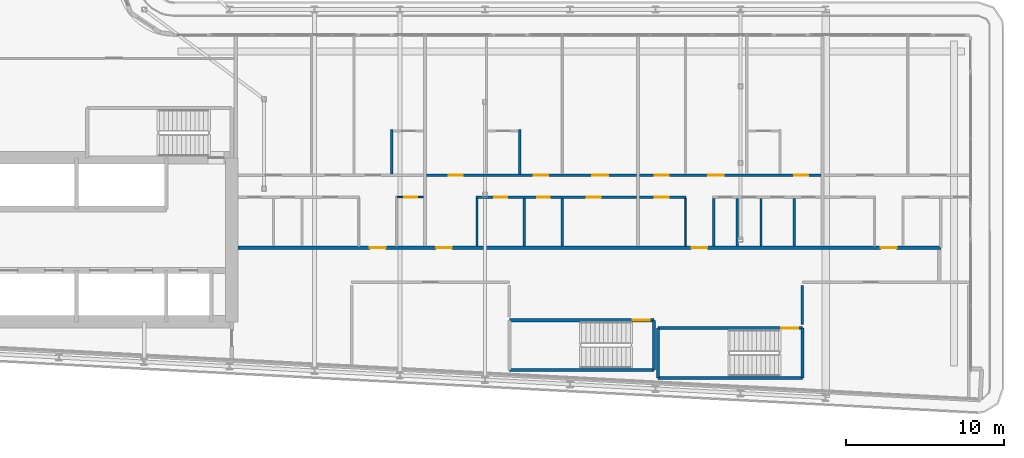
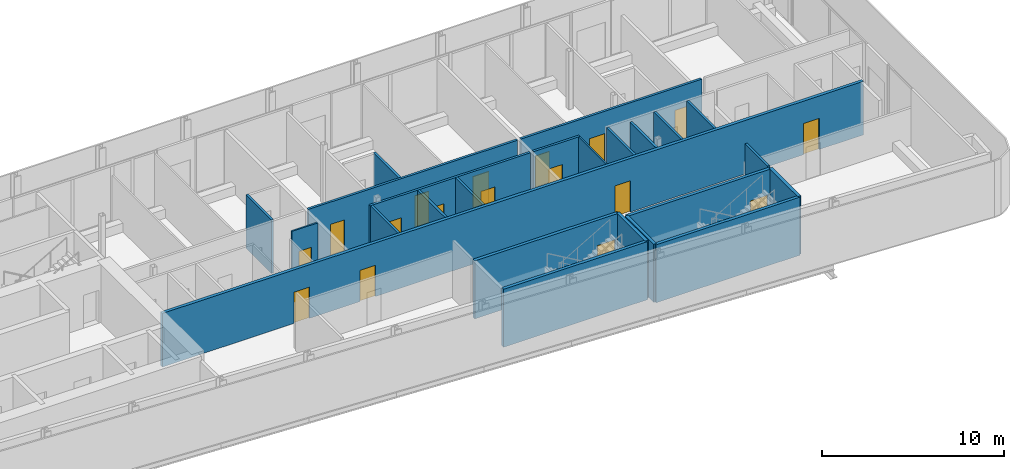
# One storey, part 16 of 28: 24 walls, 17 doors, 17 openings.
"""IFC4 building model written with IfcOpenShell, lengths in metres."""

from ifc_helpers import new_model, si_unit, direction, frame, frame_2d, origin, place, context, subcontext, project, spatial, rectangle, extrude, source, transform, mapped, material, layer, layer_set, type_object, element, fill, save


model = new_model("IFC4")

# Units and contexts
model_context = context("Model", 3, precision=1e-05, world=origin(), true_north=direction((0.0, 1.0)))
body_context = subcontext(model_context, "Body", "Model", "MODEL_VIEW")
ifc_project = project(units=[si_unit("LENGTHUNIT", "METRE"), si_unit("AREAUNIT", "SQUARE_METRE"), si_unit("VOLUMEUNIT", "CUBIC_METRE"), si_unit("PLANEANGLEUNIT", "RADIAN"), si_unit("MASSUNIT", "GRAM", prefix="KILO")], contexts=[model_context])

# Site, building, storey
site_placement = place(None, origin())
site = spatial("IfcSite", under=ifc_project, at=site_placement, CompositionType="ELEMENT")
building_placement = place(site_placement, origin())
building = spatial("IfcBuilding", under=site, at=building_placement, Name="Kheshtan School and Residences Tower", CompositionType="ELEMENT")
storey_placement = place(building_placement, frame((0.0, 0.0, 191.60009765625)))
storey = spatial("IfcBuildingStorey", under=building, at=storey_placement, Name="L45", CompositionType="ELEMENT", Elevation=191.60009765625)

# Wall, openings, doors
ifc_material_1 = material(Name="Gypsum board on steel studs with fire boards", Category="steel")
ifc_layer_1 = layer(ifc_material_1, 0.199951171875)
ifc_layer_set_1 = layer_set([ifc_layer_1], Name="Corridor wall 200")
wall_type_1 = type_object("IfcWallType", Name="Corridor wall 200", PredefinedType="PARTITIONING", material=ifc_layer_set_1)
wall_1_placement = place(storey_placement, frame((53.549072265625, 30.5, 0.0), z_axis=(0.0, 0.0, 1.0), x_axis=(1.0, 0.0, 0.0)))
wall_1 = element("IfcWall", 1, at=wall_1_placement, inside=storey, type_object=wall_type_1, Name="Partition L45-035", PredefinedType="PARTITIONING", context=body_context, shape_type="SweptSolid", body=[
    extrude(rectangle(XDim=44.551025390625, YDim=0.199951171875, at=frame_2d((22.275390625, 0.0))), origin(), (0.0, 0.0, 1.0), 3.599853515625),
])
opening_1_placement = place(wall_1_placement, frame((8.35107421875, 0.0, 0.0)))
opening_1 = element("IfcOpeningElement", 2, at=opening_1_placement, cuts=wall_1, Name="Opening D43-004", PredefinedType="OPENING", context=body_context, shape_type="SweptSolid", body=[
    extrude(rectangle(XDim=1.0, YDim=2.10009765625, at=frame_2d((0.5, 1.050048828125))), frame((0.0, 0.10986328125, 0.0), z_axis=(0.0, -1.0, 0.0), x_axis=(1.0, 0.0, 0.0)), (0.0, 0.0, 1.0), 0.219970703125),
])
opening_2_placement = place(wall_1_placement, frame((12.551025390625, 0.0, 0.0)))
opening_2 = element("IfcOpeningElement", 3, at=opening_2_placement, cuts=wall_1, Name="Opening D43-013", PredefinedType="OPENING", context=body_context, shape_type="SweptSolid", body=[
    extrude(rectangle(XDim=1.0, YDim=2.10009765625, at=frame_2d((0.5, 1.050048828125))), frame((0.0, 0.10986328125, 0.0), z_axis=(0.0, -1.0, 0.0), x_axis=(1.0, 0.0, 0.0)), (0.0, 0.0, 1.0), 0.219970703125),
])
opening_3_placement = place(wall_1_placement, frame((28.7509765625, 0.0, 0.0)))
opening_3 = element("IfcOpeningElement", 4, at=opening_3_placement, cuts=wall_1, Name="Opening D43-021", PredefinedType="OPENING", context=body_context, shape_type="SweptSolid", body=[
    extrude(rectangle(XDim=1.0, YDim=2.10009765625, at=frame_2d((0.5, 1.050048828125))), frame((0.0, 0.10986328125, 0.0), z_axis=(0.0, -1.0, 0.0), x_axis=(1.0, 0.0, 0.0)), (0.0, 0.0, 1.0), 0.219970703125),
])
opening_4_placement = place(wall_1_placement, frame((40.7509765625, 0.0, 0.0)))
opening_4 = element("IfcOpeningElement", 5, at=opening_4_placement, cuts=wall_1, Name="Opening D43-030", PredefinedType="OPENING", context=body_context, shape_type="SweptSolid", body=[
    extrude(rectangle(XDim=1.0, YDim=2.10009765625, at=frame_2d((0.5, 1.050048828125))), frame((0.0, 0.10986328125, 0.0), z_axis=(0.0, -1.0, 0.0), x_axis=(1.0, 0.0, 0.0)), (0.0, 0.0, 1.0), 0.219970703125),
])
ifc_material_2 = material(Name="Steel-framed fire-resisting door leaf", Category="steel")
door_type_1 = type_object("IfcDoorType", Name="Fire door FD30S 1000 x 2100", OperationType="SINGLE_SWING_LEFT", PredefinedType="DOOR", material=ifc_material_2)
shared_shape_1 = source(origin(), body_context, "Body", "SweptSolid", [
    extrude(rectangle(XDim=1.0, YDim=2.10009765625, at=frame_2d((0.5, 1.050048828125))), frame((0.0, 0.02490234375, 0.0), z_axis=(0.0, -1.0, 0.0), x_axis=(1.0, 0.0, 0.0)), (0.0, 0.0, 1.0), 0.050048828125),
])
door_1_placement = place(opening_1_placement, origin())
door_1 = element("IfcDoor", 6, at=door_1_placement, inside=storey, type_object=door_type_1, Name="Door D43-004", OperationType="SINGLE_SWING_RIGHT", OverallHeight=2.10009765625, OverallWidth=1.0, PredefinedType="DOOR", context=body_context, shape_type="MappedRepresentation", body=[
    mapped(shared_shape_1, transform((0.0, 0.0, 0.0), x_axis=(1.0, 0.0, 0.0), y_axis=(0.0, 1.0, 0.0), z_axis=(0.0, 0.0, 1.0), scale=1.0)),
])
fill(opening_1, door_1)
door_2_placement = place(opening_2_placement, origin())
door_2 = element("IfcDoor", 7, at=door_2_placement, inside=storey, type_object=door_type_1, Name="Door D43-013", OperationType="SINGLE_SWING_LEFT", OverallHeight=2.10009765625, OverallWidth=1.0, PredefinedType="DOOR", context=body_context, shape_type="MappedRepresentation", body=[
    mapped(shared_shape_1, transform((0.0, 0.0, 0.0), x_axis=(1.0, 0.0, 0.0), y_axis=(0.0, 1.0, 0.0), z_axis=(0.0, 0.0, 1.0), scale=1.0)),
])
fill(opening_2, door_2)
door_3_placement = place(opening_3_placement, origin())
door_3 = element("IfcDoor", 8, at=door_3_placement, inside=storey, type_object=door_type_1, Name="Door D43-021", OperationType="SINGLE_SWING_RIGHT", OverallHeight=2.10009765625, OverallWidth=1.0, PredefinedType="DOOR", context=body_context, shape_type="MappedRepresentation", body=[
    mapped(shared_shape_1, transform((0.0, 0.0, 0.0), x_axis=(1.0, 0.0, 0.0), y_axis=(0.0, 1.0, 0.0), z_axis=(0.0, 0.0, 1.0), scale=1.0)),
])
fill(opening_3, door_3)
door_4_placement = place(opening_4_placement, origin())
door_4 = element("IfcDoor", 9, at=door_4_placement, inside=storey, type_object=door_type_1, Name="Door D43-030", OperationType="SINGLE_SWING_RIGHT", OverallHeight=2.10009765625, OverallWidth=1.0, PredefinedType="DOOR", context=body_context, shape_type="MappedRepresentation", body=[
    mapped(shared_shape_1, transform((0.0, 0.0, 0.0), x_axis=(1.0, 0.0, 0.0), y_axis=(0.0, 1.0, 0.0), z_axis=(0.0, 0.0, 1.0), scale=1.0)),
])
fill(opening_4, door_4)

# Wall, opening, door
ifc_material_3 = material(Name="Gypsum board on steel studs", Category="steel")
ifc_layer_2 = layer(ifc_material_3, 0.10009765625)
ifc_layer_set_2 = layer_set([ifc_layer_2], Name="Gypsum partition 100")
wall_type_2 = type_object("IfcWallType", Name="Gypsum partition 100", PredefinedType="PARTITIONING", material=ifc_layer_set_2)
wall_2_placement = place(storey_placement, frame((63.64990234375, 33.699951171875, 0.0), z_axis=(0.0, 0.0, 1.0), x_axis=(1.0, 0.0, 0.0)))
wall_2 = element("IfcWall", 10, at=wall_2_placement, inside=storey, type_object=wall_type_2, Name="Partition L45-046", PredefinedType="PARTITIONING", context=body_context, shape_type="SweptSolid", body=[
    extrude(rectangle(XDim=1.650146484375, YDim=0.10009765625, at=frame_2d((0.8251953125, 0.0))), origin(), (0.0, 0.0, 1.0), 3.599853515625),
])
opening_5_placement = place(wall_2_placement, frame((0.449951171875, 0.0, 0.0)))
opening_5 = element("IfcOpeningElement", 11, at=opening_5_placement, cuts=wall_2, Name="Opening D43-008", PredefinedType="OPENING", context=body_context, shape_type="SweptSolid", body=[
    extrude(rectangle(XDim=0.800048828125, YDim=2.10009765625, at=frame_2d((0.39990234375, 1.050048828125))), frame((0.0, 0.06005859375, 0.0), z_axis=(0.0, -1.0, 0.0), x_axis=(1.0, 0.0, 0.0)), (0.0, 0.0, 1.0), 0.1201171875),
])
ifc_material_4 = material(Name="Veneered timber door leaf", Category="wood")
door_type_2 = type_object("IfcDoorType", Name="Door 800 x 2100", OperationType="SINGLE_SWING_LEFT", PredefinedType="DOOR", material=ifc_material_4)
shared_shape_2 = source(origin(), body_context, "Body", "SweptSolid", [
    extrude(rectangle(XDim=0.800048828125, YDim=2.10009765625, at=frame_2d((0.39990234375, 1.050048828125))), frame((0.0, 0.02490234375, 0.0), z_axis=(0.0, -1.0, 0.0), x_axis=(1.0, 0.0, 0.0)), (0.0, 0.0, 1.0), 0.050048828125),
])
door_5_placement = place(opening_5_placement, origin())
door_5 = element("IfcDoor", 12, at=door_5_placement, inside=storey, type_object=door_type_2, Name="Door D43-008", OperationType="SINGLE_SWING_LEFT", OverallHeight=2.10009765625, OverallWidth=0.800048828125, PredefinedType="DOOR", context=body_context, shape_type="MappedRepresentation", body=[
    mapped(shared_shape_2, transform((0.0, 0.0, 0.0), x_axis=(1.0, 0.0, 0.0), y_axis=(0.0, 1.0, 0.0), z_axis=(0.0, 0.0, 1.0), scale=1.0)),
])
fill(opening_5, door_5)

# Walls
wall_3_placement = place(storey_placement, frame((81.89990234375, 30.60009765625, 0.0), z_axis=(0.0, 0.0, 1.0), x_axis=(0.0, 1.0, 0.0)))
element("IfcWall", 13, at=wall_3_placement, inside=storey, type_object=wall_type_2, Name="Partition L45-060", PredefinedType="PARTITIONING", context=body_context, shape_type="SweptSolid", body=[
    extrude(rectangle(XDim=3.02490234375, YDim=0.10009765625, at=frame_2d((1.512451171875, 0.0))), origin(), (0.0, 0.0, 1.0), 3.599853515625),
])
ifc_material_5 = material(Name="Fire-board shaft wall system")
ifc_layer_3 = layer(ifc_material_5, 0.14990234375)
ifc_layer_set_3 = layer_set([ifc_layer_3], Name="Service room wall 150")
wall_type_3 = type_object("IfcWallType", Name="Service room wall 150", PredefinedType="PARTITIONING", material=ifc_layer_set_3)
wall_4_placement = place(storey_placement, frame((89.320068359375, 25.6201171875, 0.0), z_axis=(0.0, 0.0, 1.0), x_axis=(0.0, 1.0, 0.0)))
element("IfcWall", 14, at=wall_4_placement, inside=storey, type_object=wall_type_3, Name="Service room wall", PredefinedType="PARTITIONING", context=body_context, shape_type="SweptSolid", body=[
    extrude(rectangle(XDim=2.48486328125, YDim=0.14990234375, at=frame_2d((1.242431640625, 0.0))), origin(), (0.0, 0.0, 1.0), 3.89990234375),
])
ifc_material_6 = material(Name="Concrete C40/50", Category="concrete")
ifc_layer_4 = layer(ifc_material_6, 0.199951171875)
ifc_layer_set_4 = layer_set([ifc_layer_4], Name="Stair enclosure wall 200 Concrete C40/50")
wall_type_4 = type_object("IfcWallType", Name="Stair enclosure wall 200 Concrete C40/50", PredefinedType="SHEAR", material=ifc_layer_set_4)
wall_5_placement = place(storey_placement, frame((80.159912109375, 22.25, 0.0), z_axis=(0.0, 0.0, 1.0), x_axis=(1.0, 0.0, 0.0)))
element("IfcWall", 15, at=wall_5_placement, inside=storey, type_object=wall_type_4, Name="Stair enclosure wall ST4", PredefinedType="SHEAR", context=body_context, shape_type="SweptSolid", body=[
    extrude(rectangle(XDim=9.16015625, YDim=0.199951171875, at=frame_2d((4.580078125, 0.0))), origin(), (0.0, 0.0, 1.0), 3.89990234375),
])

# Wall, opening, door
wall_6_placement = place(storey_placement, frame((80.159912109375, 25.39990234375, 0.0), z_axis=(0.0, 0.0, 1.0), x_axis=(1.0, 0.0, 0.0)))
wall_6 = element("IfcWall", 16, at=wall_6_placement, inside=storey, type_object=wall_type_4, Name="Stair enclosure wall ST4", PredefinedType="SHEAR", context=body_context, shape_type="SweptSolid", body=[
    extrude(rectangle(XDim=9.16015625, YDim=0.199951171875, at=frame_2d((4.580078125, 0.0))), origin(), (0.0, 0.0, 1.0), 3.89990234375),
])
opening_6_placement = place(wall_6_placement, frame((7.81005859375, 0.0, 0.0)))
opening_6 = element("IfcOpeningElement", 17, at=opening_6_placement, cuts=wall_6, Name="Opening ST4D", PredefinedType="OPENING", context=body_context, shape_type="SweptSolid", body=[
    extrude(rectangle(XDim=1.10009765625, YDim=2.199951171875, at=frame_2d((0.550048828125, 1.10009765625))), frame((0.0, 0.10986328125, 0.0), z_axis=(0.0, -1.0, 0.0), x_axis=(1.0, 0.0, 0.0)), (0.0, 0.0, 1.0), 0.219970703125),
])
ifc_material_7 = material(Name="Steel door leaf, galvanised", Category="steel")
door_type_3 = type_object("IfcDoorType", Name="Stair door 1100 steel 90 min", OperationType="SINGLE_SWING_LEFT", PredefinedType="DOOR", material=ifc_material_7)
shared_shape_3 = source(origin(), body_context, "Body", "SweptSolid", [
    extrude(rectangle(XDim=1.10009765625, YDim=2.199951171875, at=frame_2d((0.550048828125, 1.10009765625))), frame((0.0, 0.02490234375, 0.0), z_axis=(0.0, -1.0, 0.0), x_axis=(1.0, 0.0, 0.0)), (0.0, 0.0, 1.0), 0.050048828125),
])
door_6_placement = place(opening_6_placement, origin())
door_6 = element("IfcDoor", 18, at=door_6_placement, inside=storey, type_object=door_type_3, Name="Stair ST4 door", OperationType="SINGLE_SWING_LEFT", OverallHeight=2.199951171875, OverallWidth=1.10009765625, PredefinedType="DOOR", context=body_context, shape_type="MappedRepresentation", body=[
    mapped(shared_shape_3, transform((0.0, 0.0, 0.0), x_axis=(1.0, 0.0, 0.0), y_axis=(0.0, 1.0, 0.0), z_axis=(0.0, 0.0, 1.0), scale=1.0)),
])
fill(opening_6, door_6)

# Walls
for number, where, z_axis, x_axis, name in (
    (19, (80.159912109375, 22.25, 0.0), (0.0, 0.0, 1.0), (0.0, 1.0, 0.0), "Stair enclosure wall ST4"),
    (20, (89.320068359375, 22.25, 0.0), (0.0, 0.0, 1.0), (0.0, 1.0, 0.0), "Stair enclosure wall ST4"),
):
    element("IfcWall", number, at=place(storey_placement, frame(where, z_axis=z_axis, x_axis=x_axis)), inside=storey, type_object=wall_type_4, Name=name, PredefinedType="SHEAR", context=body_context, shape_type="SweptSolid", body=[
        extrude(rectangle(XDim=3.14990234375, YDim=0.199951171875, at=frame_2d((1.574951171875, 0.0))), origin(), (0.0, 0.0, 1.0), 3.89990234375),
    ])
wall_7_placement = place(storey_placement, frame((70.75, 22.75, 0.0), z_axis=(0.0, 0.0, 1.0), x_axis=(1.0, 0.0, 0.0)))
element("IfcWall", 21, at=wall_7_placement, inside=storey, type_object=wall_type_4, Name="Stair enclosure wall ST5", PredefinedType="SHEAR", context=body_context, shape_type="SweptSolid", body=[
    extrude(rectangle(XDim=9.159912109375, YDim=0.199951171875, at=frame_2d((4.580078125, 0.0))), origin(), (0.0, 0.0, 1.0), 3.89990234375),
])

# Wall, opening, door
wall_8_placement = place(storey_placement, frame((70.75, 25.89990234375, 0.0), z_axis=(0.0, 0.0, 1.0), x_axis=(1.0, 0.0, 0.0)))
wall_8 = element("IfcWall", 22, at=wall_8_placement, inside=storey, type_object=wall_type_4, Name="Stair enclosure wall ST5", PredefinedType="SHEAR", context=body_context, shape_type="SweptSolid", body=[
    extrude(rectangle(XDim=9.159912109375, YDim=0.199951171875, at=frame_2d((4.580078125, 0.0))), origin(), (0.0, 0.0, 1.0), 3.89990234375),
])
opening_7_placement = place(wall_8_placement, frame((7.81005859375, 0.0, 0.0)))
opening_7 = element("IfcOpeningElement", 23, at=opening_7_placement, cuts=wall_8, Name="Opening ST5D", PredefinedType="OPENING", context=body_context, shape_type="SweptSolid", body=[
    extrude(rectangle(XDim=1.10009765625, YDim=2.199951171875, at=frame_2d((0.550048828125, 1.10009765625))), frame((0.0, 0.10986328125, 0.0), z_axis=(0.0, -1.0, 0.0), x_axis=(1.0, 0.0, 0.0)), (0.0, 0.0, 1.0), 0.219970703125),
])
door_7_placement = place(opening_7_placement, origin())
door_7 = element("IfcDoor", 24, at=door_7_placement, inside=storey, type_object=door_type_3, Name="Stair ST5 door", OperationType="SINGLE_SWING_LEFT", OverallHeight=2.199951171875, OverallWidth=1.10009765625, PredefinedType="DOOR", context=body_context, shape_type="MappedRepresentation", body=[
    mapped(shared_shape_3, transform((0.0, 0.0, 0.0), x_axis=(1.0, 0.0, 0.0), y_axis=(0.0, 1.0, 0.0), z_axis=(0.0, 0.0, 1.0), scale=1.0)),
])
fill(opening_7, door_7)

# Walls
wall_9_placement = place(storey_placement, frame((79.909912109375, 22.75, 0.0), z_axis=(0.0, 0.0, 1.0), x_axis=(0.0, 1.0, 0.0)))
element("IfcWall", 25, at=wall_9_placement, inside=storey, type_object=wall_type_4, Name="Stair enclosure wall ST5", PredefinedType="SHEAR", context=body_context, shape_type="SweptSolid", body=[
    extrude(rectangle(XDim=3.14990234375, YDim=0.199951171875, at=frame_2d((1.574951171875, 0.0))), origin(), (0.0, 0.0, 1.0), 3.89990234375),
])
ifc_material_8 = material(Name="Moisture-resistant gypsum board on steel studs", Category="steel")
ifc_layer_5 = layer(ifc_material_8, 0.14990234375)
ifc_layer_set_5 = layer_set([ifc_layer_5], Name="Wet-room partition 150")
wall_type_5 = type_object("IfcWallType", Name="Wet-room partition 150", PredefinedType="PARTITIONING", material=ifc_layer_set_5)
wall_10_placement = place(storey_placement, frame((63.300048828125, 35.175048828125, 0.0), z_axis=(0.0, 0.0, 1.0), x_axis=(0.0, 1.0, 0.0)))
element("IfcWall", 26, at=wall_10_placement, inside=storey, type_object=wall_type_5, Name="Partition L45-043", PredefinedType="PARTITIONING", context=body_context, shape_type="SweptSolid", body=[
    extrude(rectangle(XDim=2.800048828125, YDim=0.14990234375, at=frame_2d((1.39990234375, 0.0))), origin(), (0.0, 0.0, 1.0), 3.599853515625),
])

# Wall, openings, doors
wall_11_placement = place(storey_placement, frame((65.5, 35.10009765625, 0.0), z_axis=(0.0, 0.0, 1.0), x_axis=(1.0, 0.0, 0.0)))
wall_11 = element("IfcWall", 27, at=wall_11_placement, inside=storey, type_object=wall_type_5, Name="Partition L45-048", PredefinedType="PARTITIONING", context=body_context, shape_type="SweptSolid", body=[
    extrude(rectangle(XDim=13.300048828125, YDim=0.14990234375, at=frame_2d((6.64990234375, 0.0))), origin(), (0.0, 0.0, 1.0), 3.599853515625),
])
opening_8_placement = place(wall_11_placement, frame((1.39990234375, 0.0, 0.0)))
opening_8 = element("IfcOpeningElement", 28, at=opening_8_placement, cuts=wall_11, Name="Opening D43-011", PredefinedType="OPENING", context=body_context, shape_type="SweptSolid", body=[
    extrude(rectangle(XDim=0.89990234375, YDim=2.10009765625, at=frame_2d((0.449951171875, 1.050048828125))), frame((0.0, 0.0849609375, 0.0), z_axis=(0.0, -1.0, 0.0), x_axis=(1.0, 0.0, 0.0)), (0.0, 0.0, 1.0), 0.169921875),
])
opening_9_placement = place(wall_11_placement, frame((10.5, 0.0, 0.0)))
opening_9 = element("IfcOpeningElement", 29, at=opening_9_placement, cuts=wall_11, Name="Opening D43-015", PredefinedType="OPENING", context=body_context, shape_type="SweptSolid", body=[
    extrude(rectangle(XDim=1.0, YDim=2.10009765625, at=frame_2d((0.5, 1.050048828125))), frame((0.0, 0.0849609375, 0.0), z_axis=(0.0, -1.0, 0.0), x_axis=(1.0, 0.0, 0.0)), (0.0, 0.0, 1.0), 0.169921875),
])
opening_10_placement = place(wall_11_placement, frame((6.800048828125, 0.0, 0.0)))
opening_10 = element("IfcOpeningElement", 30, at=opening_10_placement, cuts=wall_11, Name="Opening D43-016", PredefinedType="OPENING", context=body_context, shape_type="SweptSolid", body=[
    extrude(rectangle(XDim=0.89990234375, YDim=2.10009765625, at=frame_2d((0.449951171875, 1.050048828125))), frame((0.0, 0.0849609375, 0.0), z_axis=(0.0, -1.0, 0.0), x_axis=(1.0, 0.0, 0.0)), (0.0, 0.0, 1.0), 0.169921875),
])
door_type_4 = type_object("IfcDoorType", Name="Door 1000 x 2100", OperationType="SINGLE_SWING_LEFT", PredefinedType="DOOR", material=ifc_material_4)
shared_shape_4 = source(origin(), body_context, "Body", "SweptSolid", [
    extrude(rectangle(XDim=1.0, YDim=2.10009765625, at=frame_2d((0.5, 1.050048828125))), frame((0.0, 0.02490234375, 0.0), z_axis=(0.0, -1.0, 0.0), x_axis=(1.0, 0.0, 0.0)), (0.0, 0.0, 1.0), 0.050048828125),
])
door_8_placement = place(opening_9_placement, origin())
door_8 = element("IfcDoor", 31, at=door_8_placement, inside=storey, type_object=door_type_4, Name="Door D43-015", OperationType="SINGLE_SWING_RIGHT", OverallHeight=2.10009765625, OverallWidth=1.0, PredefinedType="DOOR", context=body_context, shape_type="MappedRepresentation", body=[
    mapped(shared_shape_4, transform((0.0, 0.0, 0.0), x_axis=(1.0, 0.0, 0.0), y_axis=(0.0, 1.0, 0.0), z_axis=(0.0, 0.0, 1.0), scale=1.0)),
])
fill(opening_9, door_8)
door_type_5 = type_object("IfcDoorType", Name="Door 900 x 2100", OperationType="SINGLE_SWING_LEFT", PredefinedType="DOOR", material=ifc_material_4)
shared_shape_5 = source(origin(), body_context, "Body", "SweptSolid", [
    extrude(rectangle(XDim=0.89990234375, YDim=2.10009765625, at=frame_2d((0.449951171875, 1.050048828125))), frame((0.0, 0.02490234375, 0.0), z_axis=(0.0, -1.0, 0.0), x_axis=(1.0, 0.0, 0.0)), (0.0, 0.0, 1.0), 0.050048828125),
])
door_9_placement = place(opening_8_placement, origin())
door_9 = element("IfcDoor", 32, at=door_9_placement, inside=storey, type_object=door_type_5, Name="Door D43-011", OperationType="SINGLE_SWING_RIGHT", OverallHeight=2.10009765625, OverallWidth=0.89990234375, PredefinedType="DOOR", context=body_context, shape_type="MappedRepresentation", body=[
    mapped(shared_shape_5, transform((0.0, 0.0, 0.0), x_axis=(1.0, 0.0, 0.0), y_axis=(0.0, 1.0, 0.0), z_axis=(0.0, 0.0, 1.0), scale=1.0)),
])
fill(opening_8, door_9)
door_10_placement = place(opening_10_placement, origin())
door_10 = element("IfcDoor", 33, at=door_10_placement, inside=storey, type_object=door_type_5, Name="Door D43-016", OperationType="SINGLE_SWING_LEFT", OverallHeight=2.10009765625, OverallWidth=0.89990234375, PredefinedType="DOOR", context=body_context, shape_type="MappedRepresentation", body=[
    mapped(shared_shape_5, transform((0.0, 0.0, 0.0), x_axis=(1.0, 0.0, 0.0), y_axis=(0.0, 1.0, 0.0), z_axis=(0.0, 0.0, 1.0), scale=1.0)),
])
fill(opening_10, door_10)

wall_12_placement = place(storey_placement, frame((68.625, 33.699951171875, 0.0), z_axis=(0.0, 0.0, 1.0), x_axis=(1.0, 0.0, 0.0)))
wall_12 = element("IfcWall", 34, at=wall_12_placement, inside=storey, type_object=wall_type_5, Name="Partition L45-049", PredefinedType="PARTITIONING", context=body_context, shape_type="SweptSolid", body=[
    extrude(rectangle(XDim=10.175048828125, YDim=0.14990234375, at=frame_2d((5.08740234375, 0.0))), origin(), (0.0, 0.0, 1.0), 3.599853515625),
])
opening_11_placement = place(wall_12_placement, frame((1.175048828125, 0.0, 0.0)))
opening_11 = element("IfcOpeningElement", 35, at=opening_11_placement, cuts=wall_12, Name="Opening D43-010", PredefinedType="OPENING", context=body_context, shape_type="SweptSolid", body=[
    extrude(rectangle(XDim=0.800048828125, YDim=2.10009765625, at=frame_2d((0.39990234375, 1.050048828125))), frame((0.0, 0.0849609375, 0.0), z_axis=(0.0, -1.0, 0.0), x_axis=(1.0, 0.0, 0.0)), (0.0, 0.0, 1.0), 0.169921875),
])
opening_12_placement = place(wall_12_placement, frame((7.02490234375, 0.0, 0.0)))
opening_12 = element("IfcOpeningElement", 36, at=opening_12_placement, cuts=wall_12, Name="Opening D43-014", PredefinedType="OPENING", context=body_context, shape_type="SweptSolid", body=[
    extrude(rectangle(XDim=0.89990234375, YDim=2.10009765625, at=frame_2d((0.449951171875, 1.050048828125))), frame((0.0, 0.0849609375, 0.0), z_axis=(0.0, -1.0, 0.0), x_axis=(1.0, 0.0, 0.0)), (0.0, 0.0, 1.0), 0.169921875),
])
opening_13_placement = place(wall_12_placement, frame((3.875, 0.0, 0.0)))
opening_13 = element("IfcOpeningElement", 37, at=opening_13_placement, cuts=wall_12, Name="Opening D43-017", PredefinedType="OPENING", context=body_context, shape_type="SweptSolid", body=[
    extrude(rectangle(XDim=0.800048828125, YDim=2.10009765625, at=frame_2d((0.39990234375, 1.050048828125))), frame((0.0, 0.0849609375, 0.0), z_axis=(0.0, -1.0, 0.0), x_axis=(1.0, 0.0, 0.0)), (0.0, 0.0, 1.0), 0.169921875),
])
door_11_placement = place(opening_11_placement, origin())
door_11 = element("IfcDoor", 38, at=door_11_placement, inside=storey, type_object=door_type_2, Name="Door D43-010", OperationType="SINGLE_SWING_LEFT", OverallHeight=2.10009765625, OverallWidth=0.800048828125, PredefinedType="DOOR", context=body_context, shape_type="MappedRepresentation", body=[
    mapped(shared_shape_2, transform((0.0, 0.0, 0.0), x_axis=(1.0, 0.0, 0.0), y_axis=(0.0, 1.0, 0.0), z_axis=(0.0, 0.0, 1.0), scale=1.0)),
])
fill(opening_11, door_11)
door_12_placement = place(opening_13_placement, origin())
door_12 = element("IfcDoor", 39, at=door_12_placement, inside=storey, type_object=door_type_2, Name="Door D43-017", OperationType="SINGLE_SWING_RIGHT", OverallHeight=2.10009765625, OverallWidth=0.800048828125, PredefinedType="DOOR", context=body_context, shape_type="MappedRepresentation", body=[
    mapped(shared_shape_2, transform((0.0, 0.0, 0.0), x_axis=(1.0, 0.0, 0.0), y_axis=(0.0, 1.0, 0.0), z_axis=(0.0, 0.0, 1.0), scale=1.0)),
])
fill(opening_13, door_12)
door_13_placement = place(opening_12_placement, origin())
door_13 = element("IfcDoor", 40, at=door_13_placement, inside=storey, type_object=door_type_5, Name="Door D43-014", OperationType="SINGLE_SWING_LEFT", OverallHeight=2.10009765625, OverallWidth=0.89990234375, PredefinedType="DOOR", context=body_context, shape_type="MappedRepresentation", body=[
    mapped(shared_shape_5, transform((0.0, 0.0, 0.0), x_axis=(1.0, 0.0, 0.0), y_axis=(0.0, 1.0, 0.0), z_axis=(0.0, 0.0, 1.0), scale=1.0)),
])
fill(opening_12, door_13)

# Walls
wall_13_placement = place(storey_placement, frame((68.699951171875, 30.60009765625, 0.0), z_axis=(0.0, 0.0, 1.0), x_axis=(0.0, 1.0, 0.0)))
element("IfcWall", 41, at=wall_13_placement, inside=storey, type_object=wall_type_5, Name="Partition L45-050", PredefinedType="PARTITIONING", context=body_context, shape_type="SweptSolid", body=[
    extrude(rectangle(XDim=3.02490234375, YDim=0.14990234375, at=frame_2d((1.512451171875, 0.0))), origin(), (0.0, 0.0, 1.0), 3.599853515625),
])
wall_14_placement = place(storey_placement, frame((71.39990234375, 35.175048828125, 0.0), z_axis=(0.0, 0.0, 1.0), x_axis=(0.0, 1.0, 0.0)))
element("IfcWall", 42, at=wall_14_placement, inside=storey, type_object=wall_type_5, Name="Partition L45-053", PredefinedType="PARTITIONING", context=body_context, shape_type="SweptSolid", body=[
    extrude(rectangle(XDim=2.800048828125, YDim=0.14990234375, at=frame_2d((1.39990234375, 0.0))), origin(), (0.0, 0.0, 1.0), 3.599853515625),
])
for number, where, z_axis, x_axis, name in (
    (43, (71.699951171875, 30.60009765625, 0.0), (0.0, 0.0, 1.0), (0.0, 1.0, 0.0), "Partition L45-054"),
    (44, (74.10009765625, 30.60009765625, 0.0), (0.0, 0.0, 1.0), (0.0, 1.0, 0.0), "Partition L45-055"),
):
    element("IfcWall", number, at=place(storey_placement, frame(where, z_axis=z_axis, x_axis=x_axis)), inside=storey, type_object=wall_type_5, Name=name, PredefinedType="PARTITIONING", context=body_context, shape_type="SweptSolid", body=[
        extrude(rectangle(XDim=3.02490234375, YDim=0.14990234375, at=frame_2d((1.512451171875, 0.0))), origin(), (0.0, 0.0, 1.0), 3.599853515625),
    ])

# Wall, opening, door
wall_15_placement = place(storey_placement, frame((79.0, 33.699951171875, 0.0), z_axis=(0.0, 0.0, 1.0), x_axis=(1.0, 0.0, 0.0)))
wall_15 = element("IfcWall", 45, at=wall_15_placement, inside=storey, type_object=wall_type_5, Name="Partition L45-058", PredefinedType="PARTITIONING", context=body_context, shape_type="SweptSolid", body=[
    extrude(rectangle(XDim=2.949951171875, YDim=0.14990234375, at=frame_2d((1.47509765625, 0.0))), origin(), (0.0, 0.0, 1.0), 3.599853515625),
])
opening_14_placement = place(wall_15_placement, frame((0.949951171875, 0.0, 0.0)))
opening_14 = element("IfcOpeningElement", 46, at=opening_14_placement, cuts=wall_15, Name="Opening D43-022", PredefinedType="OPENING", context=body_context, shape_type="SweptSolid", body=[
    extrude(rectangle(XDim=0.89990234375, YDim=2.10009765625, at=frame_2d((0.449951171875, 1.050048828125))), frame((0.0, 0.0849609375, 0.0), z_axis=(0.0, -1.0, 0.0), x_axis=(1.0, 0.0, 0.0)), (0.0, 0.0, 1.0), 0.169921875),
])
door_14_placement = place(opening_14_placement, origin())
door_14 = element("IfcDoor", 47, at=door_14_placement, inside=storey, type_object=door_type_5, Name="Door D43-022", OperationType="SINGLE_SWING_RIGHT", OverallHeight=2.10009765625, OverallWidth=0.89990234375, PredefinedType="DOOR", context=body_context, shape_type="MappedRepresentation", body=[
    mapped(shared_shape_5, transform((0.0, 0.0, 0.0), x_axis=(1.0, 0.0, 0.0), y_axis=(0.0, 1.0, 0.0), z_axis=(0.0, 0.0, 1.0), scale=1.0)),
])
fill(opening_14, door_14)

# Wall, openings, doors
wall_16_placement = place(storey_placement, frame((79.0, 35.10009765625, 0.0), z_axis=(0.0, 0.0, 1.0), x_axis=(1.0, 0.0, 0.0)))
wall_16 = element("IfcWall", 48, at=wall_16_placement, inside=storey, type_object=wall_type_5, Name="Partition L45-059", PredefinedType="PARTITIONING", context=body_context, shape_type="SweptSolid", body=[
    extrude(rectangle(XDim=11.5, YDim=0.14990234375, at=frame_2d((5.75, 0.0))), origin(), (0.0, 0.0, 1.0), 3.599853515625),
])
opening_15_placement = place(wall_16_placement, frame((0.949951171875, 0.0, 0.0)))
opening_15 = element("IfcOpeningElement", 49, at=opening_15_placement, cuts=wall_16, Name="Opening D43-019", PredefinedType="OPENING", context=body_context, shape_type="SweptSolid", body=[
    extrude(rectangle(XDim=0.89990234375, YDim=2.10009765625, at=frame_2d((0.449951171875, 1.050048828125))), frame((0.0, 0.0849609375, 0.0), z_axis=(0.0, -1.0, 0.0), x_axis=(1.0, 0.0, 0.0)), (0.0, 0.0, 1.0), 0.169921875),
])
opening_16_placement = place(wall_16_placement, frame((4.35009765625, 0.0, 0.0)))
opening_16 = element("IfcOpeningElement", 50, at=opening_16_placement, cuts=wall_16, Name="Opening D43-024", PredefinedType="OPENING", context=body_context, shape_type="SweptSolid", body=[
    extrude(rectangle(XDim=1.0, YDim=2.10009765625, at=frame_2d((0.5, 1.050048828125))), frame((0.0, 0.0849609375, 0.0), z_axis=(0.0, -1.0, 0.0), x_axis=(1.0, 0.0, 0.0)), (0.0, 0.0, 1.0), 0.169921875),
])
opening_17_placement = place(wall_16_placement, frame((9.800048828125, 0.0, 0.0)))
opening_17 = element("IfcOpeningElement", 51, at=opening_17_placement, cuts=wall_16, Name="Opening D43-025", PredefinedType="OPENING", context=body_context, shape_type="SweptSolid", body=[
    extrude(rectangle(XDim=0.89990234375, YDim=2.10009765625, at=frame_2d((0.449951171875, 1.050048828125))), frame((0.0, 0.0849609375, 0.0), z_axis=(0.0, -1.0, 0.0), x_axis=(1.0, 0.0, 0.0)), (0.0, 0.0, 1.0), 0.169921875),
])
door_15_placement = place(opening_16_placement, origin())
door_15 = element("IfcDoor", 52, at=door_15_placement, inside=storey, type_object=door_type_4, Name="Door D43-024", OperationType="SINGLE_SWING_LEFT", OverallHeight=2.10009765625, OverallWidth=1.0, PredefinedType="DOOR", context=body_context, shape_type="MappedRepresentation", body=[
    mapped(shared_shape_4, transform((0.0, 0.0, 0.0), x_axis=(1.0, 0.0, 0.0), y_axis=(0.0, 1.0, 0.0), z_axis=(0.0, 0.0, 1.0), scale=1.0)),
])
fill(opening_16, door_15)
door_16_placement = place(opening_15_placement, origin())
door_16 = element("IfcDoor", 53, at=door_16_placement, inside=storey, type_object=door_type_5, Name="Door D43-019", OperationType="SINGLE_SWING_RIGHT", OverallHeight=2.10009765625, OverallWidth=0.89990234375, PredefinedType="DOOR", context=body_context, shape_type="MappedRepresentation", body=[
    mapped(shared_shape_5, transform((0.0, 0.0, 0.0), x_axis=(1.0, 0.0, 0.0), y_axis=(0.0, 1.0, 0.0), z_axis=(0.0, 0.0, 1.0), scale=1.0)),
])
fill(opening_15, door_16)
door_17_placement = place(opening_17_placement, origin())
door_17 = element("IfcDoor", 54, at=door_17_placement, inside=storey, type_object=door_type_5, Name="Door D43-025", OperationType="SINGLE_SWING_LEFT", OverallHeight=2.10009765625, OverallWidth=0.89990234375, PredefinedType="DOOR", context=body_context, shape_type="MappedRepresentation", body=[
    mapped(shared_shape_5, transform((0.0, 0.0, 0.0), x_axis=(1.0, 0.0, 0.0), y_axis=(0.0, 1.0, 0.0), z_axis=(0.0, 0.0, 1.0), scale=1.0)),
])
fill(opening_17, door_17)

# Walls
wall_17_placement = place(storey_placement, frame((83.699951171875, 30.60009765625, 0.0), z_axis=(0.0, 0.0, 1.0), x_axis=(0.0, 1.0, 0.0)))
element("IfcWall", 55, at=wall_17_placement, inside=storey, type_object=wall_type_5, Name="Partition L45-063", PredefinedType="PARTITIONING", context=body_context, shape_type="SweptSolid", body=[
    extrude(rectangle(XDim=3.02490234375, YDim=0.14990234375, at=frame_2d((1.512451171875, 0.0))), origin(), (0.0, 0.0, 1.0), 3.599853515625),
])
wall_18_placement = place(storey_placement, frame((85.199951171875, 30.60009765625, 0.0), z_axis=(0.0, 0.0, 1.0), x_axis=(0.0, 1.0, 0.0)))
element("IfcWall", 56, at=wall_18_placement, inside=storey, type_object=wall_type_5, Name="Partition L45-064", PredefinedType="PARTITIONING", context=body_context, shape_type="SweptSolid", body=[
    extrude(rectangle(XDim=3.02490234375, YDim=0.14990234375, at=frame_2d((1.512451171875, 0.0))), origin(), (0.0, 0.0, 1.0), 3.447021484375),
])
for number, where, z_axis, x_axis, name in (
    (57, (86.699951171875, 30.60009765625, 0.0), (0.0, 0.0, 1.0), (0.0, 1.0, 0.0), "Partition L45-067"),
    (58, (88.800048828125, 30.60009765625, 0.0), (0.0, 0.0, 1.0), (0.0, 1.0, 0.0), "Partition L45-069"),
):
    element("IfcWall", number, at=place(storey_placement, frame(where, z_axis=z_axis, x_axis=x_axis)), inside=storey, type_object=wall_type_5, Name=name, PredefinedType="PARTITIONING", context=body_context, shape_type="SweptSolid", body=[
        extrude(rectangle(XDim=3.02490234375, YDim=0.14990234375, at=frame_2d((1.512451171875, 0.0))), origin(), (0.0, 0.0, 1.0), 3.599853515625),
    ])

save(model, "model.ifc")
